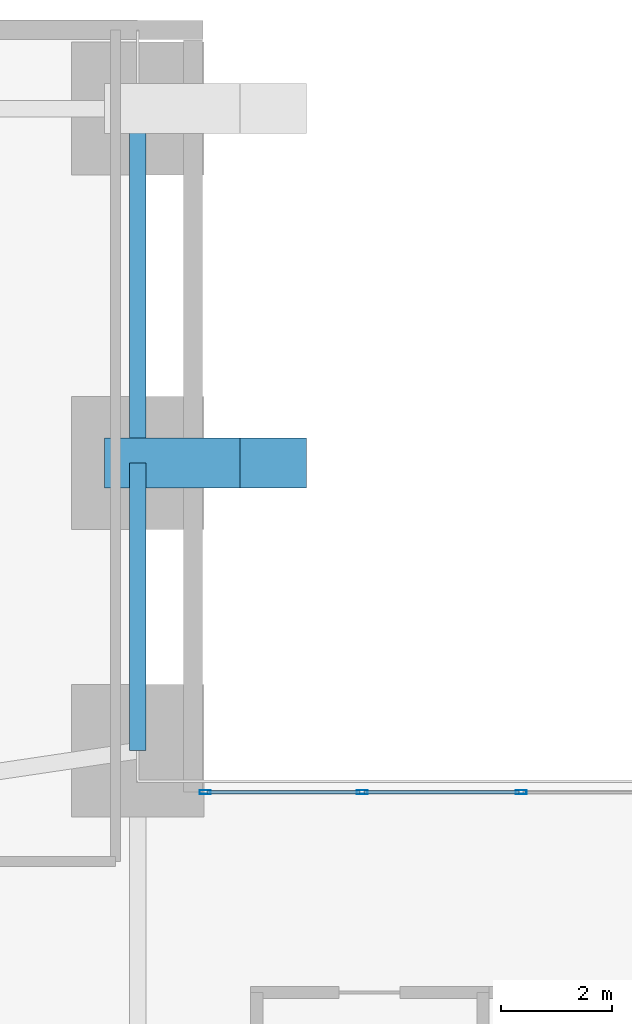
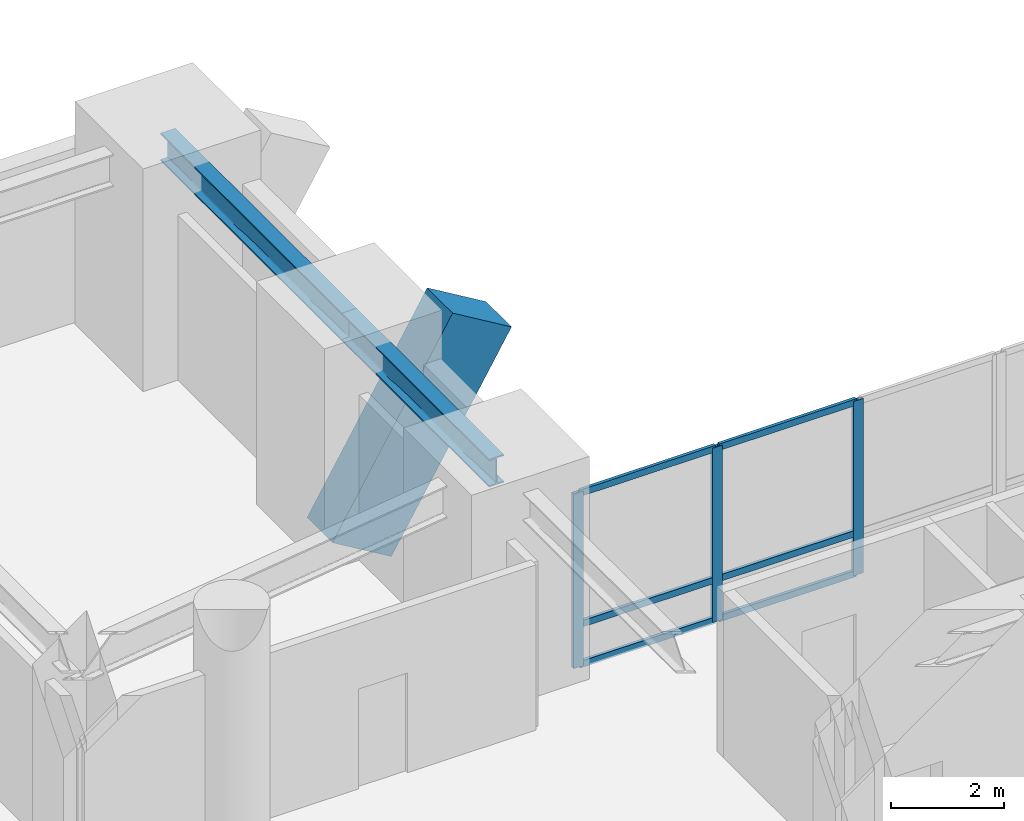
# One storey, part 6 of 14: 9 members, 3 beams, 1 element without a shape of its own.
"""IFC4 building model written with IfcOpenShell, lengths in metres."""

from ifc_helpers import new_model, si_unit, direction, frame, origin, origin_2d, place, context, subcontext, project, spatial, rectangle, hollow_rectangle, i_section, extrude, material, layer, layer_set, material_profile, profile_set, type_object, element, aggregate, save


model = new_model("IFC4")

# Units and contexts
model_context = context("Model", 3, precision=1e-05, world=origin(), true_north=direction((0.0, 1.0)))
body_context = subcontext(model_context, "Body", "Model", "MODEL_VIEW")
ifc_project = project(units=[si_unit("LENGTHUNIT", "METRE"), si_unit("AREAUNIT", "SQUARE_METRE"), si_unit("VOLUMEUNIT", "CUBIC_METRE"), si_unit("PLANEANGLEUNIT", "RADIAN"), si_unit("MASSUNIT", "GRAM", prefix="KILO"), si_unit("THERMODYNAMICTEMPERATUREUNIT", "KELVIN"), si_unit("POWERUNIT", "WATT")], contexts=[model_context])

# Site, building, storey
site_placement = place(None, origin())
site = spatial("IfcSite", under=ifc_project, at=site_placement, CompositionType="ELEMENT")
building_placement = place(site_placement, origin())
building = spatial("IfcBuilding", under=site, at=building_placement, Name="Ocrelia Relay Tower", CompositionType="ELEMENT")
storey_placement = place(building_placement, frame((0.0, 0.0, 5.39990234375)))
storey = spatial("IfcBuildingStorey", under=building, at=storey_placement, Name="L01", CompositionType="ELEMENT", Elevation=5.39990234375)

# Beams
ifc_material_1 = material(Name="Concrete C70/85", Category="concrete")
ifc_material_profile_1 = material_profile(ifc_material_1, rectangle(XDim=0.89990234375, YDim=1.39990234375, at=origin_2d()), Name="RC-BM-900x1400")
ifc_profile_set_1 = profile_set([ifc_material_profile_1], Name="Concrete C70/85")
beam_type_1 = type_object("IfcBeamType", Name="BM-ARCH-RIB", PredefinedType="USERDEFINED", material=ifc_profile_set_1)
beam_1_placement = place(storey_placement, frame((24.199951171875, 44.0, -0.39990234375), z_axis=(0.513614846674, 0.0, 0.858020855968), x_axis=(0.0, 1.0, 0.0)))
element("IfcBeam", 1, at=beam_1_placement, inside=storey, type_object=beam_type_1, Name="Monumental Portal Arch Rib N2 Seg 1", ObjectType="PORTAL ARCH", PredefinedType="USERDEFINED", context=body_context, shape_type="SweptSolid", body=[
    extrude(rectangle(XDim=0.89990234375, YDim=1.39990234375, at=origin_2d()), origin(), (0.0, 0.0, 1.0), 4.77001953125),
])
ifc_material_2 = material(Name="Steel S355", Category="steel")
ifc_material_profile_2 = material_profile(ifc_material_2, i_section(OverallWidth=0.300048828125, OverallDepth=0.60009765625, WebThickness=0.015380859375, FlangeThickness=0.030029296875, FilletRadius=0.027099609375, at=origin_2d()), Name="HEB 600")
ifc_profile_set_2 = profile_set([ifc_material_profile_2], Name="Steel S355")
beam_type_2 = type_object("IfcBeamType", Name="BM-HEB600", PredefinedType="BEAM", material=ifc_profile_set_2)
beam_2_placement = place(storey_placement, frame((24.199951171875, 38.800048828125, 4.18017578125), z_axis=(0.0, 1.0, 0.0), x_axis=(-1.0, 0.0, 0.0)))
element("IfcBeam", 2, at=beam_2_placement, inside=storey, type_object=beam_type_2, Name="L01 Pier Line Tie Girder AW-4", PredefinedType="BEAM", context=body_context, shape_type="SweptSolid", body=[
    extrude(i_section(OverallWidth=0.300048828125, OverallDepth=0.60009765625, WebThickness=0.015380859375, FlangeThickness=0.030029296875, FilletRadius=0.027099609375, at=origin_2d()), origin(), (0.0, 0.0, 1.0), 5.199951171875),
])
beam_3_placement = place(storey_placement, frame((24.199951171875, 44.0, 4.18017578125), z_axis=(0.0, 1.0, 0.0), x_axis=(-1.0, 0.0, 0.0)))
element("IfcBeam", 3, at=beam_3_placement, inside=storey, type_object=beam_type_2, Name="L01 Pier Line Tie Girder AW-5", PredefinedType="BEAM", context=body_context, shape_type="SweptSolid", body=[
    extrude(i_section(OverallWidth=0.300048828125, OverallDepth=0.60009765625, WebThickness=0.015380859375, FlangeThickness=0.030029296875, FilletRadius=0.027099609375, at=origin_2d()), origin(), (0.0, 0.0, 1.0), 6.39990234375),
])

# Curtain wall, members
ifc_material_3 = material(Name="Aluminium and solar-control low-E glass", Category="aluminium")
ifc_layer = layer(ifc_material_3, 0.179931640625, Name="Aluminium and solar-control low-E glass")
ifc_layer_set = layer_set([ifc_layer], Name="Aluminium and solar-control low-E glass")
curtain_wall_type = type_object("IfcCurtainWallType", Name="CW-SYS-POD-ARCH", PredefinedType="NOTDEFINED", material=ifc_layer_set)
curtain_wall_placement = place(storey_placement, origin())
curtain_wall = element("IfcCurtainWall", 4, at=curtain_wall_placement, inside=storey, type_object=curtain_wall_type, Name="L01 North Portal Concourse Glazed Screen West", PredefinedType="NOTDEFINED")
ifc_material_4 = material(Name="Anodised bronze aluminium", Category="aluminium")
ifc_material_profile_3 = material_profile(ifc_material_4, hollow_rectangle(XDim=0.074951171875, YDim=0.199951171875, WallThickness=0.006103515625, at=origin_2d()), Name="CW-MUL-200x75")
ifc_profile_set_3 = profile_set([ifc_material_profile_3], Name="Anodised bronze aluminium")
member_type_1 = type_object("IfcMemberType", Name="CW-SYS-POD-ARCH-MUL", PredefinedType="MULLION", material=ifc_profile_set_3)
member_1_placement = place(storey_placement, frame((25.41748046875, 38.050048828125, 0.0), z_axis=(0.0, 0.0, 1.0), x_axis=(0.0, 1.0, 0.0)))
member_1 = element("IfcMember", 5, at=member_1_placement, type_object=member_type_1, Name="CW-PA mullion 1", PredefinedType="MULLION", context=body_context, shape_type="SweptSolid", body=[
    extrude(hollow_rectangle(XDim=0.074951171875, YDim=0.199951171875, WallThickness=0.006103515625, at=origin_2d()), origin(), (0.0, 0.0, 1.0), 3.760009765625),
])
member_2_placement = place(storey_placement, frame((28.25341796875, 38.050048828125, 0.0), z_axis=(0.0, 0.0, 1.0), x_axis=(0.0, 1.0, 0.0)))
member_2 = element("IfcMember", 6, at=member_2_placement, type_object=member_type_1, Name="CW-PA mullion 2", PredefinedType="MULLION", context=body_context, shape_type="SweptSolid", body=[
    extrude(hollow_rectangle(XDim=0.074951171875, YDim=0.199951171875, WallThickness=0.006103515625, at=origin_2d()), origin(), (0.0, 0.0, 1.0), 3.760009765625),
])
member_3_placement = place(storey_placement, frame((31.126708984375, 38.050048828125, 0.0), z_axis=(0.0, 0.0, 1.0), x_axis=(0.0, 1.0, 0.0)))
member_3 = element("IfcMember", 7, at=member_3_placement, type_object=member_type_1, Name="CW-PA mullion 3", PredefinedType="MULLION", context=body_context, shape_type="SweptSolid", body=[
    extrude(hollow_rectangle(XDim=0.074951171875, YDim=0.199951171875, WallThickness=0.006103515625, at=origin_2d()), origin(), (0.0, 0.0, 1.0), 3.760009765625),
])
ifc_material_profile_4 = material_profile(ifc_material_4, hollow_rectangle(XDim=0.06494140625, YDim=0.139892578125, WallThickness=0.0048828125, at=origin_2d()), Name="CW-TRN-140x65")
ifc_profile_set_4 = profile_set([ifc_material_profile_4], Name="Anodised bronze aluminium")
member_type_2 = type_object("IfcMemberType", Name="CW-SYS-POD-ARCH-TRN", PredefinedType="USERDEFINED", material=ifc_profile_set_4)
member_4_placement = place(storey_placement, frame((25.455078125, 38.050048828125, 0.03271484375), z_axis=(1.0, 0.0, 0.0), x_axis=(0.0, 1.0, 0.0)))
member_4 = element("IfcMember", 8, at=member_4_placement, type_object=member_type_2, Name="CW-PA transom 1.1", ObjectType="TRANSOM", PredefinedType="USERDEFINED", context=body_context, shape_type="SweptSolid", body=[
    extrude(hollow_rectangle(XDim=0.06494140625, YDim=0.139892578125, WallThickness=0.0048828125, at=origin_2d()), origin(), (0.0, 0.0, 1.0), 2.7607421875),
])
member_5_placement = place(storey_placement, frame((25.455078125, 38.050048828125, 0.900146484375), z_axis=(1.0, 0.0, 0.0), x_axis=(0.0, 1.0, 0.0)))
member_5 = element("IfcMember", 9, at=member_5_placement, type_object=member_type_2, Name="CW-PA transom 1.2", ObjectType="TRANSOM", PredefinedType="USERDEFINED", context=body_context, shape_type="SweptSolid", body=[
    extrude(hollow_rectangle(XDim=0.06494140625, YDim=0.139892578125, WallThickness=0.0048828125, at=origin_2d()), origin(), (0.0, 0.0, 1.0), 2.7607421875),
])
member_6_placement = place(storey_placement, frame((25.455078125, 38.050048828125, 3.7275390625), z_axis=(1.0, 0.0, 0.0), x_axis=(0.0, 1.0, 0.0)))
member_6 = element("IfcMember", 10, at=member_6_placement, type_object=member_type_2, Name="CW-PA transom 1.3", ObjectType="TRANSOM", PredefinedType="USERDEFINED", context=body_context, shape_type="SweptSolid", body=[
    extrude(hollow_rectangle(XDim=0.06494140625, YDim=0.139892578125, WallThickness=0.0048828125, at=origin_2d()), origin(), (0.0, 0.0, 1.0), 2.7607421875),
])
member_7_placement = place(storey_placement, frame((28.290771484375, 38.050048828125, 0.03271484375), z_axis=(1.0, 0.0, 0.0), x_axis=(0.0, 1.0, 0.0)))
member_7 = element("IfcMember", 11, at=member_7_placement, type_object=member_type_2, Name="CW-PA transom 2.1", ObjectType="TRANSOM", PredefinedType="USERDEFINED", context=body_context, shape_type="SweptSolid", body=[
    extrude(hollow_rectangle(XDim=0.06494140625, YDim=0.139892578125, WallThickness=0.0048828125, at=origin_2d()), origin(), (0.0, 0.0, 1.0), 2.79833984375),
])
member_8_placement = place(storey_placement, frame((28.290771484375, 38.050048828125, 0.900146484375), z_axis=(1.0, 0.0, 0.0), x_axis=(0.0, 1.0, 0.0)))
member_8 = element("IfcMember", 12, at=member_8_placement, type_object=member_type_2, Name="CW-PA transom 2.2", ObjectType="TRANSOM", PredefinedType="USERDEFINED", context=body_context, shape_type="SweptSolid", body=[
    extrude(hollow_rectangle(XDim=0.06494140625, YDim=0.139892578125, WallThickness=0.0048828125, at=origin_2d()), origin(), (0.0, 0.0, 1.0), 2.79833984375),
])
member_9_placement = place(storey_placement, frame((28.290771484375, 38.050048828125, 3.7275390625), z_axis=(1.0, 0.0, 0.0), x_axis=(0.0, 1.0, 0.0)))
member_9 = element("IfcMember", 13, at=member_9_placement, type_object=member_type_2, Name="CW-PA transom 2.3", ObjectType="TRANSOM", PredefinedType="USERDEFINED", context=body_context, shape_type="SweptSolid", body=[
    extrude(hollow_rectangle(XDim=0.06494140625, YDim=0.139892578125, WallThickness=0.0048828125, at=origin_2d()), origin(), (0.0, 0.0, 1.0), 2.79833984375),
])
aggregate(curtain_wall, [member_1, member_2, member_3, member_4, member_5, member_6, member_7, member_8, member_9])

save(model, "model.ifc")
